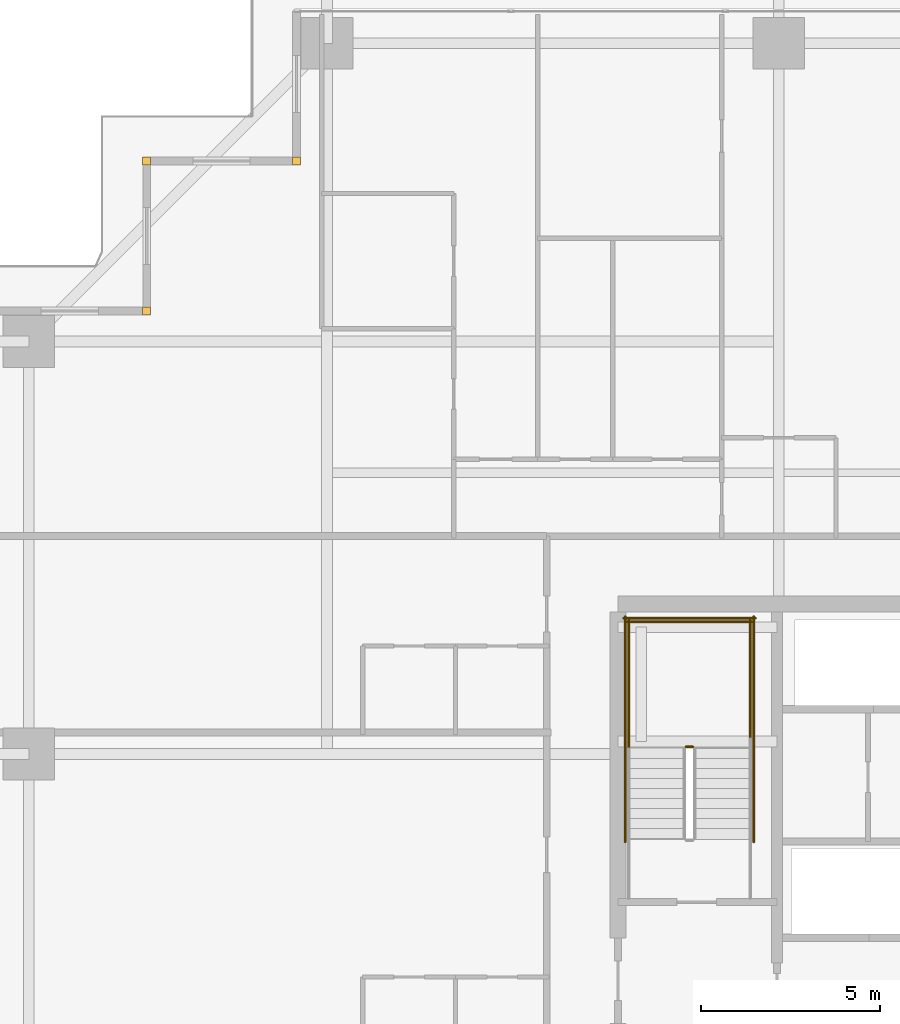
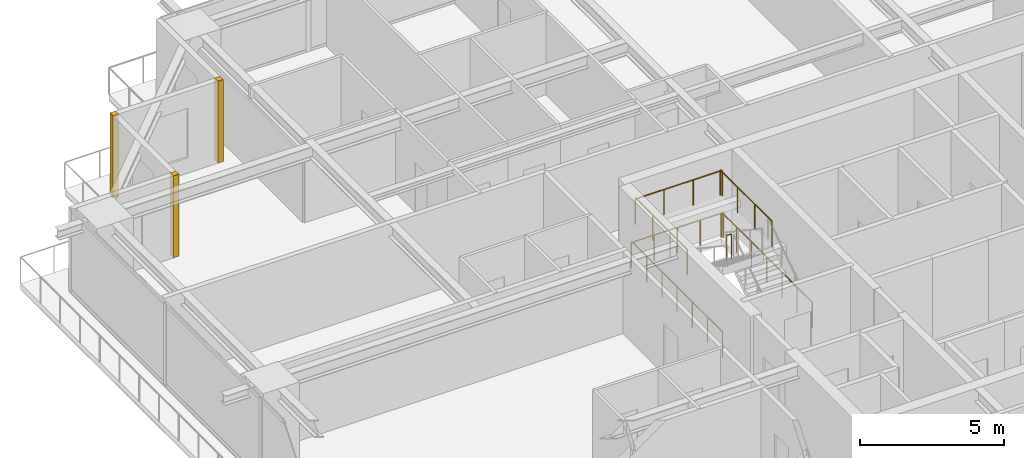
# One storey, part 38 of 39: 7 railings, 3 coverings.
"""IFC4 building model written with IfcOpenShell, lengths in metres."""

from ifc_helpers import new_model, si_unit, direction, frame, origin, origin_2d, place, context, subcontext, project, spatial, rectangle, circle, extrude, source, transform, mapped, material, layer, layer_set, type_object, element, save


model = new_model("IFC4")

# Units and contexts
model_context = context("Model", 3, precision=1e-05, world=origin(), true_north=direction((0.0, 1.0)))
body_context = subcontext(model_context, "Body", "Model", "MODEL_VIEW")
ifc_project = project(units=[si_unit("LENGTHUNIT", "METRE"), si_unit("AREAUNIT", "SQUARE_METRE"), si_unit("VOLUMEUNIT", "CUBIC_METRE"), si_unit("PLANEANGLEUNIT", "RADIAN"), si_unit("MASSUNIT", "GRAM", prefix="KILO")], contexts=[model_context])

# Site, building, storey
site_placement = place(None, origin())
site = spatial("IfcSite", under=ifc_project, at=site_placement, CompositionType="ELEMENT")
building_placement = place(site_placement, origin())
building = spatial("IfcBuilding", under=site, at=building_placement, Name="Serunith Strait Residences", CompositionType="ELEMENT")
storey_placement = place(building_placement, frame((0.0, 0.0, 79.199951171875)))
storey = spatial("IfcBuildingStorey", under=building, at=storey_placement, Name="L19", CompositionType="ELEMENT", Elevation=79.199951171875)

# Railings
ifc_material_1 = material(Name="Brushed stainless steel 316L", Category="steel")
railing_type = type_object("IfcRailingType", Name="RLG-STAIR-GUARD", PredefinedType="BALUSTRADE", material=ifc_material_1)
railing_1_placement = place(storey_placement, frame((25.5, 29.60009765625, 1.875)))
element("IfcRailing", 1, at=railing_1_placement, inside=storey, type_object=railing_type, Name="L19 ST-1 stair guard 2", PredefinedType="BALUSTRADE", context=body_context, shape_type="SweptSolid", body=[
    extrude(circle(Radius=0.02392578125, at=origin_2d()), frame((-0.001953125, 0.0, 1.076171875), z_axis=(-1.0, 0.0, 0.0), x_axis=(0.0, -1.0, 0.0)), (0.0, 0.0, 1.0), 0.196044921875),
    extrude(circle(Radius=0.02099609375, at=origin_2d()), origin(), (0.0, 0.0, 1.0), 1.050048828125),
    extrude(circle(Radius=0.02099609375, at=origin_2d()), frame((-0.199951171875, 0.0, 0.0)), (0.0, 0.0, 1.0), 1.050048828125),
])
for number, where, name in (
    (2, (27.10009765625, 29.550048828125, 1.875), "L19 ST-1 stair guard 3"),
    (3, (23.699951171875, 29.550048828125, 1.875), "L19 ST-1 stair guard 4"),
):
    element("IfcRailing", number, at=place(storey_placement, frame(where)), inside=storey, type_object=railing_type, Name=name, PredefinedType="BALUSTRADE", context=body_context, shape_type="SweptSolid", body=[
        extrude(circle(Radius=0.02392578125, at=origin_2d()), frame((0.0, 0.001953125, 1.076171875), z_axis=(0.0, 1.0, 0.0), x_axis=(-1.0, 0.0, 0.0)), (0.0, 0.0, 1.0), 3.595947265625),
        extrude(circle(Radius=0.02099609375, at=origin_2d()), origin(), (0.0, 0.0, 1.0), 1.050048828125),
        extrude(circle(Radius=0.02099609375, at=origin_2d()), frame((0.0, 1.199951171875, 0.0)), (0.0, 0.0, 1.0), 1.050048828125),
        extrude(circle(Radius=0.02099609375, at=origin_2d()), frame((0.0, 2.39990234375, 0.0)), (0.0, 0.0, 1.0), 1.050048828125),
        extrude(circle(Radius=0.02099609375, at=origin_2d()), frame((0.0, 3.599853515625, 0.0)), (0.0, 0.0, 1.0), 1.050048828125),
    ])
railing_2_placement = place(storey_placement, frame((27.14990234375, 33.10009765625, 1.875)))
element("IfcRailing", 4, at=railing_2_placement, inside=storey, type_object=railing_type, Name="L19 ST-1 stair guard 5", PredefinedType="BALUSTRADE", context=body_context, shape_type="SweptSolid", body=[
    extrude(circle(Radius=0.02392578125, at=origin_2d()), frame((-0.001953125, 0.0, 1.076171875), z_axis=(-1.0, 0.0, 0.0), x_axis=(0.0, -1.0, 0.0)), (0.0, 0.0, 1.0), 3.49609375),
    extrude(circle(Radius=0.02099609375, at=origin_2d()), origin(), (0.0, 0.0, 1.0), 1.050048828125),
    extrude(circle(Radius=0.02099609375, at=origin_2d()), frame((-1.166748046875, 0.0, 0.0)), (0.0, 0.0, 1.0), 1.050048828125),
    extrude(circle(Radius=0.02099609375, at=origin_2d()), frame((-2.333251953125, 0.0, 0.0)), (0.0, 0.0, 1.0), 1.050048828125),
    extrude(circle(Radius=0.02099609375, at=origin_2d()), frame((-3.5, 0.0, 0.0)), (0.0, 0.0, 1.0), 1.050048828125),
])
for number, where, name in (
    (5, (27.199951171875, 26.929931640625, 0.0), "L19 ST-1 stair guard 10"),
    (6, (23.60009765625, 26.929931640625, 0.0), "L19 ST-1 stair guard 11"),
):
    element("IfcRailing", number, at=place(storey_placement, frame(where)), inside=storey, type_object=railing_type, Name=name, PredefinedType="BALUSTRADE", context=body_context, shape_type="SweptSolid", body=[
        extrude(circle(Radius=0.02392578125, at=origin_2d()), frame((0.0, 0.001953125, 1.076171875), z_axis=(0.0, 1.0, 0.0), x_axis=(-1.0, 0.0, 0.0)), (0.0, 0.0, 1.0), 6.316162109375),
        extrude(circle(Radius=0.02099609375, at=origin_2d()), origin(), (0.0, 0.0, 1.0), 1.050048828125),
        extrude(circle(Radius=0.02099609375, at=origin_2d()), frame((0.0, 1.05322265625, 0.0)), (0.0, 0.0, 1.0), 1.050048828125),
        extrude(circle(Radius=0.02099609375, at=origin_2d()), frame((0.0, 2.106689453125, 0.0)), (0.0, 0.0, 1.0), 1.050048828125),
        extrude(circle(Radius=0.02099609375, at=origin_2d()), frame((0.0, 3.16015625, 0.0)), (0.0, 0.0, 1.0), 1.050048828125),
        extrude(circle(Radius=0.02099609375, at=origin_2d()), frame((0.0, 4.21337890625, 0.0)), (0.0, 0.0, 1.0), 1.050048828125),
        extrude(circle(Radius=0.02099609375, at=origin_2d()), frame((0.0, 5.2666015625, 0.0)), (0.0, 0.0, 1.0), 1.050048828125),
        extrude(circle(Radius=0.02099609375, at=origin_2d()), frame((0.0, 6.320068359375, 0.0)), (0.0, 0.0, 1.0), 1.050048828125),
    ])
railing_3_placement = place(storey_placement, frame((27.25, 33.199951171875, 0.0)))
element("IfcRailing", 7, at=railing_3_placement, inside=storey, type_object=railing_type, Name="L19 ST-1 stair guard 12", PredefinedType="BALUSTRADE", context=body_context, shape_type="SweptSolid", body=[
    extrude(circle(Radius=0.02392578125, at=origin_2d()), frame((-0.001953125, 0.0, 1.076171875), z_axis=(-1.0, 0.0, 0.0), x_axis=(0.0, -1.0, 0.0)), (0.0, 0.0, 1.0), 3.696044921875),
    extrude(circle(Radius=0.02099609375, at=origin_2d()), origin(), (0.0, 0.0, 1.0), 1.050048828125),
    extrude(circle(Radius=0.02099609375, at=origin_2d()), frame((-0.925048828125, 0.0, 0.0)), (0.0, 0.0, 1.0), 1.050048828125),
    extrude(circle(Radius=0.02099609375, at=origin_2d()), frame((-1.85009765625, 0.0, 0.0)), (0.0, 0.0, 1.0), 1.050048828125),
    extrude(circle(Radius=0.02099609375, at=origin_2d()), frame((-2.77490234375, 0.0, 0.0)), (0.0, 0.0, 1.0), 1.050048828125),
    extrude(circle(Radius=0.02099609375, at=origin_2d()), frame((-3.699951171875, 0.0, 0.0)), (0.0, 0.0, 1.0), 1.050048828125),
])

# Coverings
ifc_material_2 = material(Name="Pale-Champagne Anodised Aluminium", Category="aluminium")
ifc_layer = layer(ifc_material_2, 0.219970703125, Name="Pale-Champagne Anodised Aluminium")
ifc_layer_set = layer_set([ifc_layer], Name="Pale-Champagne Anodised Aluminium")
covering_type = type_object("IfcCoveringType", Name="COV-CORN-TRIM", PredefinedType="CLADDING", material=ifc_layer_set)
shared_shape = source(origin(), body_context, "Body", "SweptSolid", [
    extrude(rectangle(XDim=0.221923828125, YDim=0.221923828125, at=origin_2d()), origin(), (0.0, 0.0, 1.0), 3.47509765625),
])
for number, where, z_axis, x_axis, name in (
    (8, (14.39990234375, 46.0, 0.0), (0.0, 0.0, 1.0), (1.0, 0.0, 0.0), "L19 Girih Serrated Corner Trim Post 12"),
    (9, (10.199951171875, 46.0, 0.0), (0.0, 0.0, 1.0), (1.0, 0.0, 0.0), "L19 Girih Serrated Corner Trim Post 13"),
    (10, (10.199951171875, 41.800048828125, 0.0), (0.0, 0.0, 1.0), (1.0, 0.0, 0.0), "L19 Girih Serrated Corner Trim Post 14"),
):
    element("IfcCovering", number, at=place(storey_placement, frame(where, z_axis=z_axis, x_axis=x_axis)), inside=storey, type_object=covering_type, Name=name, PredefinedType="CLADDING", context=body_context, shape_type="MappedRepresentation", body=[
        mapped(shared_shape, transform((0.0, 0.0, 0.0), scale=1.0)),
    ])

save(model, "model.ifc")
